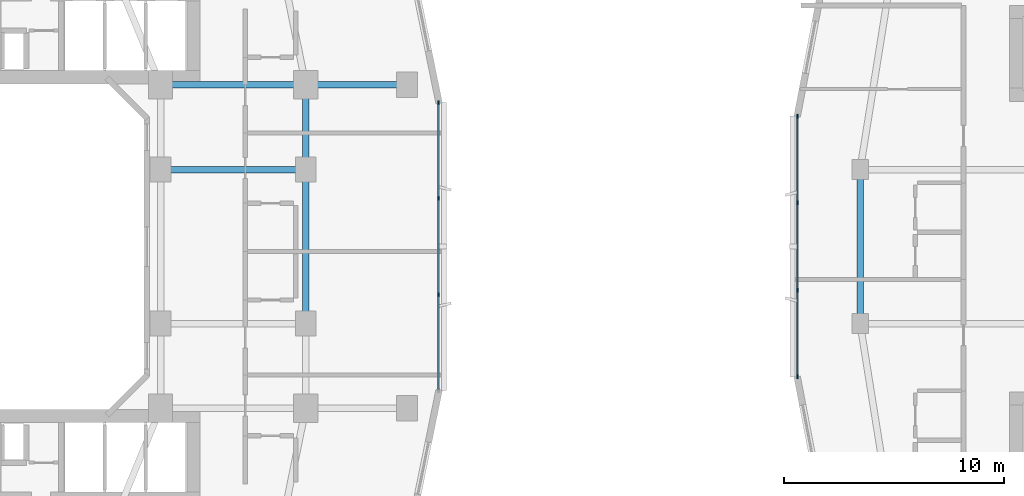
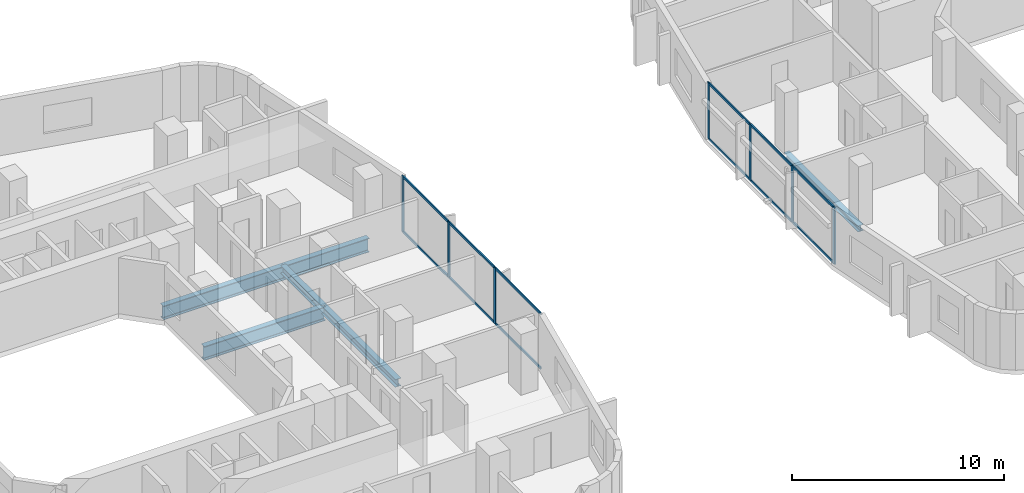
# One storey, part 5 of 27: 19 members, 6 beams, 2 elements without a shape of their own.
"""IFC4 building model written with IfcOpenShell, lengths in metres."""

from ifc_helpers import new_model, si_unit, derived_unit, direction, frame, origin, origin_2d, place, context, subcontext, project, spatial, rectangle, i_section, extrude, material, layer, layer_set, material_profile, profile_set, type_object, element, aggregate, save


model = new_model("IFC4")

# Units and contexts
model_context = context("Model", 3, precision=1e-05, world=origin(), true_north=direction((0.0, 1.0)))
body_context = subcontext(model_context, "Body", "Model", "MODEL_VIEW")
ifc_project = project(units=[si_unit("LENGTHUNIT", "METRE"), si_unit("AREAUNIT", "SQUARE_METRE"), si_unit("VOLUMEUNIT", "CUBIC_METRE"), si_unit("PLANEANGLEUNIT", "RADIAN"), si_unit("MASSUNIT", "GRAM", prefix="KILO"), derived_unit("THERMALTRANSMITTANCEUNIT", [(si_unit("POWERUNIT", "WATT"), 1), (si_unit("LENGTHUNIT", "METRE"), -2), (si_unit("THERMODYNAMICTEMPERATUREUNIT", "KELVIN"), -1)])], contexts=[model_context])

# Site, building, storey
site_placement = place(None, origin())
site = spatial("IfcSite", under=ifc_project, at=site_placement, CompositionType="ELEMENT")
building_placement = place(site_placement, origin())
building = spatial("IfcBuilding", under=site, at=building_placement, Name="Kivonza Crest Hotel", CompositionType="ELEMENT")
storey_placement = place(building_placement, frame((0.0, 0.0, 41.5)))
storey = spatial("IfcBuildingStorey", under=building, at=storey_placement, Name="L10", CompositionType="ELEMENT", Elevation=41.5)

# Beams
ifc_material_1 = material(Name="Steel S355", Category="steel")
ifc_material_profile_1 = material_profile(ifc_material_1, i_section(OverallWidth=0.300048828125, OverallDepth=0.360107421875, WebThickness=0.012451171875, FlangeThickness=0.0224609375, FilletRadius=0.027099609375, at=origin_2d()), Name="HEB 360")
ifc_profile_set_1 = profile_set([ifc_material_profile_1], Name="Steel S355")
beam_type_1 = type_object("IfcBeamType", Name="BM-HEB360", PredefinedType="SPANDREL", material=ifc_profile_set_1)
beam_1_placement = place(storey_placement, frame((61.0, 28.5, -0.429931640625), z_axis=(0.0, -1.0, 0.0), x_axis=(1.0, 0.0, 0.0)))
element("IfcBeam", 1, at=beam_1_placement, inside=storey, type_object=beam_type_1, Name="Companion Tower T2 L10 perimeter spandrel W2-W1", PredefinedType="SPANDREL", context=body_context, shape_type="SweptSolid", body=[
    extrude(i_section(OverallWidth=0.300048828125, OverallDepth=0.360107421875, WebThickness=0.012451171875, FlangeThickness=0.0224609375, FilletRadius=0.027099609375, at=origin_2d()), origin(), (0.0, 0.0, 1.0), 7.0),
])
ifc_material_profile_2 = material_profile(ifc_material_1, i_section(OverallWidth=0.300048828125, OverallDepth=0.449951171875, WebThickness=0.013916015625, FlangeThickness=0.02587890625, FilletRadius=0.027099609375, at=origin_2d()), Name="HEB 450")
ifc_profile_set_2 = profile_set([ifc_material_profile_2], Name="Steel S355")
beam_type_2 = type_object("IfcBeamType", Name="BM-HEB450", PredefinedType="SPANDREL", material=ifc_profile_set_2)
beam_2_placement = place(storey_placement, frame((35.800048828125, 21.5, -0.5048828125), z_axis=(0.0, 1.0, 0.0), x_axis=(-1.0, 0.0, 0.0)))
element("IfcBeam", 2, at=beam_2_placement, inside=storey, type_object=beam_type_2, Name="Tower T1 L10 perimeter spandrel E1-E2", PredefinedType="SPANDREL", context=body_context, shape_type="SweptSolid", body=[
    extrude(i_section(OverallWidth=0.300048828125, OverallDepth=0.449951171875, WebThickness=0.013916015625, FlangeThickness=0.02587890625, FilletRadius=0.027099609375, at=origin_2d()), origin(), (0.0, 0.0, 1.0), 7.0),
])
beam_3_placement = place(storey_placement, frame((35.800048828125, 28.5, -0.5048828125), z_axis=(0.0, 1.0, 0.0), x_axis=(-1.0, 0.0, 0.0)))
element("IfcBeam", 3, at=beam_3_placement, inside=storey, type_object=beam_type_2, Name="Tower T1 L10 perimeter spandrel E2-PNE", PredefinedType="SPANDREL", context=body_context, shape_type="SweptSolid", body=[
    extrude(i_section(OverallWidth=0.300048828125, OverallDepth=0.449951171875, WebThickness=0.013916015625, FlangeThickness=0.02587890625, FilletRadius=0.027099609375, at=origin_2d()), origin(), (0.0, 0.0, 1.0), 3.85009765625),
])
ifc_material_profile_3 = material_profile(ifc_material_1, i_section(OverallWidth=0.300048828125, OverallDepth=0.800048828125, WebThickness=0.017578125, FlangeThickness=0.032958984375, FilletRadius=0.030029296875, at=origin_2d()), Name="HEB 800")
ifc_profile_set_3 = profile_set([ifc_material_profile_3], Name="Steel S355")
beam_type_3 = type_object("IfcBeamType", Name="BM-HEB800", PredefinedType="BEAM", material=ifc_profile_set_3)
for number, where, z_axis, x_axis, name in (
    (4, (29.199951171875, 32.35009765625, -0.679931640625), (1.0, 0.0, 0.0), (0.0, 1.0, 0.0), "Tower T1 L10 primary girder TNE-PNE"),
    (5, (29.199951171875, 28.5, -0.679931640625), (1.0, 0.0, 0.0), (0.0, 1.0, 0.0), "Tower T1 L10 primary girder WR2-E2"),
):
    element("IfcBeam", number, at=place(storey_placement, frame(where, z_axis=z_axis, x_axis=x_axis)), inside=storey, type_object=beam_type_3, Name=name, PredefinedType="BEAM", context=body_context, shape_type="SweptSolid", body=[
        extrude(i_section(OverallWidth=0.300048828125, OverallDepth=0.800048828125, WebThickness=0.017578125, FlangeThickness=0.032958984375, FilletRadius=0.030029296875, at=origin_2d()), origin(), (0.0, 0.0, 1.0), 6.60009765625),
    ])
beam_4_placement = place(storey_placement, frame((40.39990234375, 32.35009765625, -0.679931640625), z_axis=(-1.0, 0.0, 0.0), x_axis=(0.0, -1.0, 0.0)))
element("IfcBeam", 6, at=beam_4_placement, inside=storey, type_object=beam_type_3, Name="Tower T1 L10 outer bay girder ZE2", PredefinedType="BEAM", context=body_context, shape_type="SweptSolid", body=[
    extrude(i_section(OverallWidth=0.300048828125, OverallDepth=0.800048828125, WebThickness=0.017578125, FlangeThickness=0.032958984375, FilletRadius=0.030029296875, at=origin_2d()), origin(), (0.0, 0.0, 1.0), 4.599853515625),
])

# Curtain wall, members
ifc_material_2 = material(Name="Anodised bronze aluminium and low-E double glazing", Category="aluminium")
ifc_layer_1 = layer(ifc_material_2, 0.179931640625)
ifc_layer_set_1 = layer_set([ifc_layer_1], Name="Anodised bronze aluminium and low-E double glazing")
curtain_wall_type_1 = type_object("IfcCurtainWallType", Name="CW-SYS-2", PredefinedType="NOTDEFINED", material=ifc_layer_set_1)
curtain_wall_1_placement = place(storey_placement, origin())
curtain_wall_1 = element("IfcCurtainWall", 7, at=curtain_wall_1_placement, inside=storey, type_object=curtain_wall_type_1, Name="L10 unitised curtain wall CW-T1-L10-17", PredefinedType="NOTDEFINED")
ifc_material_3 = material(Name="Anodised bronze aluminium", Category="aluminium")
ifc_material_profile_4 = material_profile(ifc_material_3, rectangle(XDim=0.06494140625, YDim=0.179931640625, at=origin_2d()), Name="CW-M 65x180")
ifc_profile_set_4 = profile_set([ifc_material_profile_4], Name="Anodised bronze aluminium")
member_type_1 = type_object("IfcMemberType", Name="CW-MUL-65x180", PredefinedType="MULLION", material=ifc_profile_set_4)
member_1_placement = place(storey_placement, frame((41.840087890625, 22.813232421875, 0.0), z_axis=(0.0, 0.0, 1.0), x_axis=(-1.0, 0.0, 0.0)))
member_1 = element("IfcMember", 8, at=member_1_placement, type_object=member_type_1, Name="CW-2 mullion 2", PredefinedType="MULLION", context=body_context, shape_type="SweptSolid", body=[
    extrude(rectangle(XDim=0.06494140625, YDim=0.179931640625, at=origin_2d()), origin(), (0.0, 0.0, 1.0), 3.219970703125),
])
member_2_placement = place(storey_placement, frame((41.840087890625, 27.186767578125, 0.0), z_axis=(0.0, 0.0, 1.0), x_axis=(-1.0, 0.0, 0.0)))
member_2 = element("IfcMember", 9, at=member_2_placement, type_object=member_type_1, Name="CW-2 mullion 3", PredefinedType="MULLION", context=body_context, shape_type="SweptSolid", body=[
    extrude(rectangle(XDim=0.06494140625, YDim=0.179931640625, at=origin_2d()), origin(), (0.0, 0.0, 1.0), 3.219970703125),
])
member_3_placement = place(storey_placement, frame((41.840087890625, 31.527587890625, 0.0), z_axis=(0.0, 0.0, 1.0), x_axis=(-1.0, 0.0, 0.0)))
member_3 = element("IfcMember", 10, at=member_3_placement, type_object=member_type_1, Name="CW-2 mullion 4", PredefinedType="MULLION", context=body_context, shape_type="SweptSolid", body=[
    extrude(rectangle(XDim=0.06494140625, YDim=0.179931640625, at=origin_2d()), origin(), (0.0, 0.0, 1.0), 3.219970703125),
])

ifc_layer_2 = layer(ifc_material_2, 0.179931640625)
ifc_layer_set_2 = layer_set([ifc_layer_2], Name="Anodised bronze aluminium and low-E double glazing")
curtain_wall_type_2 = type_object("IfcCurtainWallType", Name="CW-SYS-4", PredefinedType="NOTDEFINED", material=ifc_layer_set_2)
curtain_wall_2_placement = place(storey_placement, origin())
curtain_wall_2 = element("IfcCurtainWall", 11, at=curtain_wall_2_placement, inside=storey, type_object=curtain_wall_type_2, Name="L10 unitised curtain wall CW-T2-L10-35", PredefinedType="NOTDEFINED")
member_4_placement = place(storey_placement, frame((58.159912109375, 30.927490234375, 0.0), z_axis=(0.0, 0.0, 1.0), x_axis=(1.0, 0.0, 0.0)))
member_4 = element("IfcMember", 12, at=member_4_placement, type_object=member_type_1, Name="CW-4 mullion 1", PredefinedType="MULLION", context=body_context, shape_type="SweptSolid", body=[
    extrude(rectangle(XDim=0.06494140625, YDim=0.179931640625, at=origin_2d()), origin(), (0.0, 0.0, 1.0), 3.25),
])
member_5_placement = place(storey_placement, frame((58.159912109375, 26.986572265625, 0.0), z_axis=(0.0, 0.0, 1.0), x_axis=(1.0, 0.0, 0.0)))
member_5 = element("IfcMember", 13, at=member_5_placement, type_object=member_type_1, Name="CW-4 mullion 2", PredefinedType="MULLION", context=body_context, shape_type="SweptSolid", body=[
    extrude(rectangle(XDim=0.06494140625, YDim=0.179931640625, at=origin_2d()), origin(), (0.0, 0.0, 1.0), 3.25),
])
member_6_placement = place(storey_placement, frame((58.159912109375, 23.013427734375, 0.0), z_axis=(0.0, 0.0, 1.0), x_axis=(1.0, 0.0, 0.0)))
member_6 = element("IfcMember", 14, at=member_6_placement, type_object=member_type_1, Name="CW-4 mullion 3", PredefinedType="MULLION", context=body_context, shape_type="SweptSolid", body=[
    extrude(rectangle(XDim=0.06494140625, YDim=0.179931640625, at=origin_2d()), origin(), (0.0, 0.0, 1.0), 3.25),
])
member_7_placement = place(storey_placement, frame((58.159912109375, 19.072509765625, 0.0), z_axis=(0.0, 0.0, 1.0), x_axis=(1.0, 0.0, 0.0)))
member_7 = element("IfcMember", 15, at=member_7_placement, type_object=member_type_1, Name="CW-4 mullion 4", PredefinedType="MULLION", context=body_context, shape_type="SweptSolid", body=[
    extrude(rectangle(XDim=0.06494140625, YDim=0.179931640625, at=origin_2d()), origin(), (0.0, 0.0, 1.0), 3.25),
])

# Member
ifc_material_profile_5 = material_profile(ifc_material_3, rectangle(XDim=0.06494140625, YDim=0.139892578125, at=origin_2d()), Name="CW-T 65x140")
ifc_profile_set_5 = profile_set([ifc_material_profile_5], Name="Anodised bronze aluminium")
member_type_2 = type_object("IfcMemberType", Name="CW-TRN-65x140", PredefinedType="USERDEFINED", material=ifc_profile_set_5)
member_8_placement = place(storey_placement, frame((41.840087890625, 18.5048828125, 0.032470703125), z_axis=(0.0, 1.0, 0.0), x_axis=(-1.0, 0.0, 0.0)))
member_8 = element("IfcMember", 16, at=member_8_placement, type_object=member_type_2, Name="CW-2 transom 1.1", ObjectType="TRANSOM", PredefinedType="USERDEFINED", context=body_context, shape_type="SweptSolid", body=[
    extrude(rectangle(XDim=0.06494140625, YDim=0.139892578125, at=origin_2d()), origin(), (0.0, 0.0, 1.0), 4.27587890625),
])

member_9_placement = place(storey_placement, frame((41.840087890625, 18.5048828125, 3.1875), z_axis=(0.0, 1.0, 0.0), x_axis=(-1.0, 0.0, 0.0)))
member_9 = element("IfcMember", 17, at=member_9_placement, type_object=member_type_2, Name="CW-2 transom 1.2", ObjectType="TRANSOM", PredefinedType="USERDEFINED", context=body_context, shape_type="SweptSolid", body=[
    extrude(rectangle(XDim=0.06494140625, YDim=0.139892578125, at=origin_2d()), origin(), (0.0, 0.0, 1.0), 4.27587890625),
])

member_10_placement = place(storey_placement, frame((41.840087890625, 22.845947265625, 0.032470703125), z_axis=(0.0, 1.0, 0.0), x_axis=(-1.0, 0.0, 0.0)))
member_10 = element("IfcMember", 18, at=member_10_placement, type_object=member_type_2, Name="CW-2 transom 2.1", ObjectType="TRANSOM", PredefinedType="USERDEFINED", context=body_context, shape_type="SweptSolid", body=[
    extrude(rectangle(XDim=0.06494140625, YDim=0.139892578125, at=origin_2d()), origin(), (0.0, 0.0, 1.0), 4.30810546875),
])

member_11_placement = place(storey_placement, frame((41.840087890625, 22.845947265625, 3.1875), z_axis=(0.0, 1.0, 0.0), x_axis=(-1.0, 0.0, 0.0)))
member_11 = element("IfcMember", 19, at=member_11_placement, type_object=member_type_2, Name="CW-2 transom 2.2", ObjectType="TRANSOM", PredefinedType="USERDEFINED", context=body_context, shape_type="SweptSolid", body=[
    extrude(rectangle(XDim=0.06494140625, YDim=0.139892578125, at=origin_2d()), origin(), (0.0, 0.0, 1.0), 4.30810546875),
])

member_12_placement = place(storey_placement, frame((41.840087890625, 27.21923828125, 0.032470703125), z_axis=(0.0, 1.0, 0.0), x_axis=(-1.0, 0.0, 0.0)))
member_12 = element("IfcMember", 20, at=member_12_placement, type_object=member_type_2, Name="CW-2 transom 3.1", ObjectType="TRANSOM", PredefinedType="USERDEFINED", context=body_context, shape_type="SweptSolid", body=[
    extrude(rectangle(XDim=0.06494140625, YDim=0.139892578125, at=origin_2d()), origin(), (0.0, 0.0, 1.0), 4.27587890625),
])

member_13_placement = place(storey_placement, frame((41.840087890625, 27.21923828125, 3.1875), z_axis=(0.0, 1.0, 0.0), x_axis=(-1.0, 0.0, 0.0)))
member_13 = element("IfcMember", 21, at=member_13_placement, type_object=member_type_2, Name="CW-2 transom 3.2", ObjectType="TRANSOM", PredefinedType="USERDEFINED", context=body_context, shape_type="SweptSolid", body=[
    extrude(rectangle(XDim=0.06494140625, YDim=0.139892578125, at=origin_2d()), origin(), (0.0, 0.0, 1.0), 4.27587890625),
])

aggregate(curtain_wall_1, [member_1, member_2, member_3, member_8, member_9, member_10, member_11, member_12, member_13])

member_14_placement = place(storey_placement, frame((58.159912109375, 30.89501953125, 0.032470703125), z_axis=(0.0, -1.0, 0.0), x_axis=(1.0, 0.0, 0.0)))
member_14 = element("IfcMember", 22, at=member_14_placement, type_object=member_type_2, Name="CW-4 transom 1.1", ObjectType="TRANSOM", PredefinedType="USERDEFINED", context=body_context, shape_type="SweptSolid", body=[
    extrude(rectangle(XDim=0.06494140625, YDim=0.139892578125, at=origin_2d()), origin(), (0.0, 0.0, 1.0), 3.875732421875),
])

member_15_placement = place(storey_placement, frame((58.159912109375, 30.89501953125, 3.217529296875), z_axis=(0.0, -1.0, 0.0), x_axis=(1.0, 0.0, 0.0)))
member_15 = element("IfcMember", 23, at=member_15_placement, type_object=member_type_2, Name="CW-4 transom 1.2", ObjectType="TRANSOM", PredefinedType="USERDEFINED", context=body_context, shape_type="SweptSolid", body=[
    extrude(rectangle(XDim=0.06494140625, YDim=0.139892578125, at=origin_2d()), origin(), (0.0, 0.0, 1.0), 3.875732421875),
])

member_16_placement = place(storey_placement, frame((58.159912109375, 26.9541015625, 0.032470703125), z_axis=(0.0, -1.0, 0.0), x_axis=(1.0, 0.0, 0.0)))
member_16 = element("IfcMember", 24, at=member_16_placement, type_object=member_type_2, Name="CW-4 transom 2.1", ObjectType="TRANSOM", PredefinedType="USERDEFINED", context=body_context, shape_type="SweptSolid", body=[
    extrude(rectangle(XDim=0.06494140625, YDim=0.139892578125, at=origin_2d()), origin(), (0.0, 0.0, 1.0), 3.908203125),
])

member_17_placement = place(storey_placement, frame((58.159912109375, 26.9541015625, 3.217529296875), z_axis=(0.0, -1.0, 0.0), x_axis=(1.0, 0.0, 0.0)))
member_17 = element("IfcMember", 25, at=member_17_placement, type_object=member_type_2, Name="CW-4 transom 2.2", ObjectType="TRANSOM", PredefinedType="USERDEFINED", context=body_context, shape_type="SweptSolid", body=[
    extrude(rectangle(XDim=0.06494140625, YDim=0.139892578125, at=origin_2d()), origin(), (0.0, 0.0, 1.0), 3.908203125),
])

member_18_placement = place(storey_placement, frame((58.159912109375, 22.980712890625, 0.032470703125), z_axis=(0.0, -1.0, 0.0), x_axis=(1.0, 0.0, 0.0)))
member_18 = element("IfcMember", 26, at=member_18_placement, type_object=member_type_2, Name="CW-4 transom 3.1", ObjectType="TRANSOM", PredefinedType="USERDEFINED", context=body_context, shape_type="SweptSolid", body=[
    extrude(rectangle(XDim=0.06494140625, YDim=0.139892578125, at=origin_2d()), origin(), (0.0, 0.0, 1.0), 3.875732421875),
])

member_19_placement = place(storey_placement, frame((58.159912109375, 22.980712890625, 3.217529296875), z_axis=(0.0, -1.0, 0.0), x_axis=(1.0, 0.0, 0.0)))
member_19 = element("IfcMember", 27, at=member_19_placement, type_object=member_type_2, Name="CW-4 transom 3.2", ObjectType="TRANSOM", PredefinedType="USERDEFINED", context=body_context, shape_type="SweptSolid", body=[
    extrude(rectangle(XDim=0.06494140625, YDim=0.139892578125, at=origin_2d()), origin(), (0.0, 0.0, 1.0), 3.875732421875),
])

aggregate(curtain_wall_2, [member_4, member_5, member_6, member_7, member_14, member_15, member_16, member_17, member_18, member_19])

save(model, "model.ifc")
